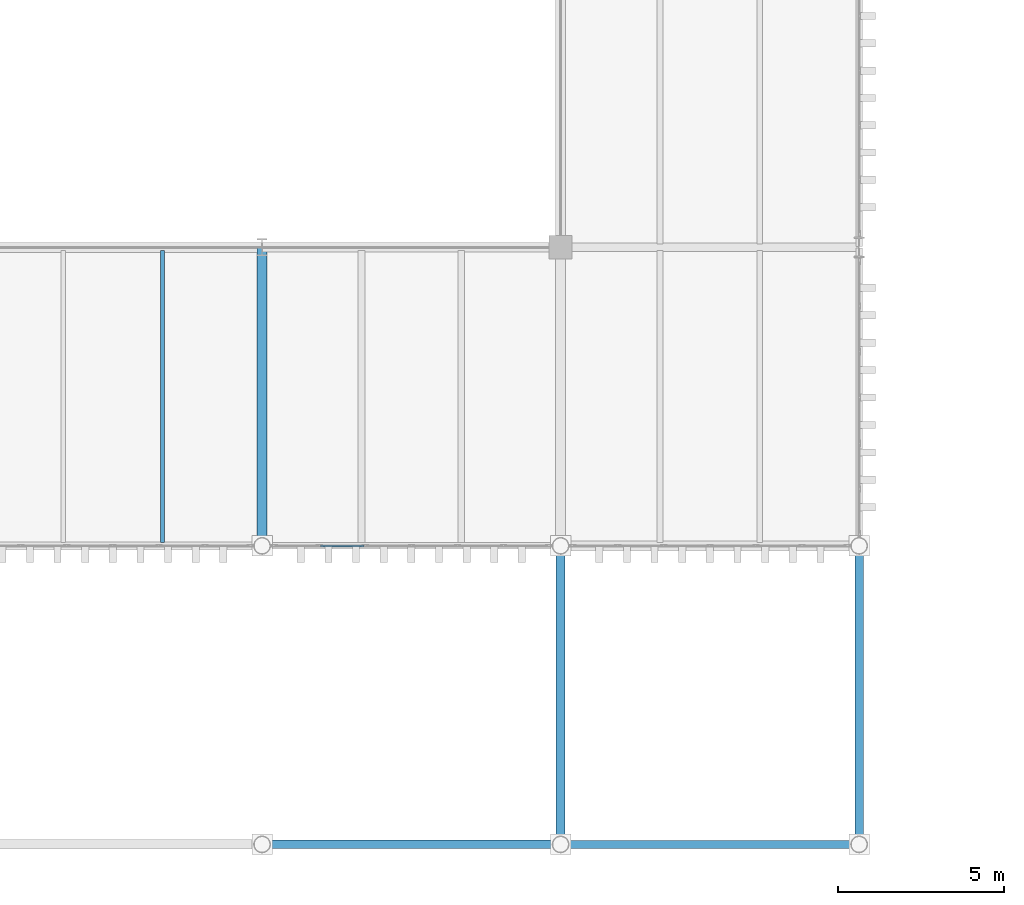
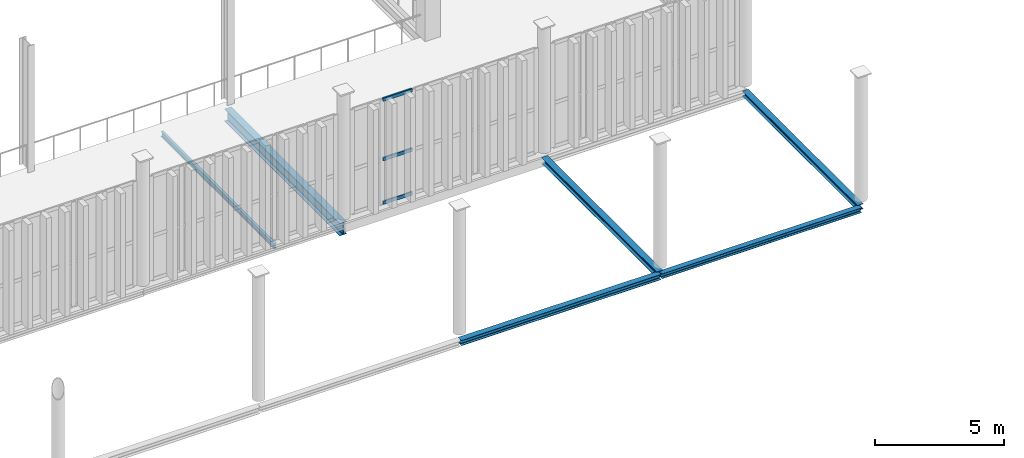
# One storey, part 39 of 211: 6 beams, 3 members, 1 element without a shape of its own.
"""IFC4 building model written with IfcOpenShell, lengths in metres."""

from ifc_helpers import new_model, si_unit, direction, frame, origin, origin_2d, place, context, subcontext, project, spatial, hollow_rectangle, i_section, extrude, material, layer, layer_set, material_profile, profile_set, type_object, element, aggregate, save


model = new_model("IFC4")

# Units and contexts
model_context = context("Model", 3, precision=1e-05, world=origin(), true_north=direction((0.0, 1.0)))
body_context = subcontext(model_context, "Body", "Model", "MODEL_VIEW")
ifc_project = project(units=[si_unit("LENGTHUNIT", "METRE"), si_unit("AREAUNIT", "SQUARE_METRE"), si_unit("VOLUMEUNIT", "CUBIC_METRE"), si_unit("PLANEANGLEUNIT", "RADIAN"), si_unit("MASSUNIT", "GRAM", prefix="KILO")], contexts=[model_context])

# Site, building, storey
site_placement = place(None, origin())
site = spatial("IfcSite", under=ifc_project, at=site_placement, CompositionType="ELEMENT")
building_placement = place(site_placement, origin())
building = spatial("IfcBuilding", under=site, at=building_placement, Name="Barlavento Convention Centre", CompositionType="ELEMENT")
storey_placement = place(building_placement, frame((0.0, 0.0, 6.0)))
storey = spatial("IfcBuildingStorey", under=building, at=storey_placement, Name="L01", CompositionType="ELEMENT", Elevation=6.0)

# Curtain wall, members
ifc_material_1 = material(Name="Powder-coated aluminium and Low-E glass", Category="aluminium")
ifc_layer = layer(ifc_material_1, 0.18505859375)
ifc_layer_set = layer_set([ifc_layer], Name="ARC-CW-CONG-L01")
curtain_wall_type = type_object("IfcCurtainWallType", Name="ARC-CW-CONG-L01", PredefinedType="NOTDEFINED", material=ifc_layer_set)
curtain_wall_placement = place(storey_placement, origin())
curtain_wall = element("IfcCurtainWall", 1, at=curtain_wall_placement, inside=storey, type_object=curtain_wall_type, Name="L01 unitised curtain wall CW01", PredefinedType="NOTDEFINED")
ifc_material_2 = material(Name="Powder-coated aluminium", Category="aluminium")
ifc_material_profile_1 = material_profile(ifc_material_2, hollow_rectangle(XDim=0.06494140625, YDim=0.159912109375, WallThickness=0.0048828125, at=origin_2d()), Name="AL-TRAN 65x160x5")
ifc_profile_set_1 = profile_set([ifc_material_profile_1], Name="Powder-coated aluminium")
member_type = type_object("IfcMemberType", Name="ARC-CWT-65X160", PredefinedType="USERDEFINED", material=ifc_profile_set_1)
member_1_placement = place(storey_placement, frame((46.755126953125, 9.0, 0.032470703125), z_axis=(1.0, 0.0, 0.0), x_axis=(0.0, 1.0, 0.0)))
member_1 = element("IfcMember", 2, at=member_1_placement, type_object=member_type, Name="CW01 transom 2.1", ObjectType="TRANSOM", PredefinedType="USERDEFINED", context=body_context, shape_type="SweptSolid", body=[
    extrude(hollow_rectangle(XDim=0.06494140625, YDim=0.159912109375, WallThickness=0.0048828125, at=origin_2d()), origin(), (0.0, 0.0, 1.0), 1.32373046875),
])
member_2_placement = place(storey_placement, frame((46.755126953125, 9.0, 2.10009765625), z_axis=(1.0, 0.0, 0.0), x_axis=(0.0, 1.0, 0.0)))
member_2 = element("IfcMember", 3, at=member_2_placement, type_object=member_type, Name="CW01 transom 2.2", ObjectType="TRANSOM", PredefinedType="USERDEFINED", context=body_context, shape_type="SweptSolid", body=[
    extrude(hollow_rectangle(XDim=0.06494140625, YDim=0.159912109375, WallThickness=0.0048828125, at=origin_2d()), origin(), (0.0, 0.0, 1.0), 1.32373046875),
])
member_3_placement = place(storey_placement, frame((46.755126953125, 9.0, 4.91748046875), z_axis=(1.0, 0.0, 0.0), x_axis=(0.0, 1.0, 0.0)))
member_3 = element("IfcMember", 4, at=member_3_placement, type_object=member_type, Name="CW01 transom 2.3", ObjectType="TRANSOM", PredefinedType="USERDEFINED", context=body_context, shape_type="SweptSolid", body=[
    extrude(hollow_rectangle(XDim=0.06494140625, YDim=0.159912109375, WallThickness=0.0048828125, at=origin_2d()), origin(), (0.0, 0.0, 1.0), 1.32373046875),
])
aggregate(curtain_wall, [member_1, member_2, member_3])

# Beams
ifc_material_3 = material(Name="Steel S355", Category="steel")
ifc_material_profile_2 = material_profile(ifc_material_3, i_section(OverallWidth=0.1201171875, OverallDepth=0.239990234375, WebThickness=0.006103515625, FlangeThickness=0.009765625, FilletRadius=0.014892578125, at=origin_2d()), Name="IPE 240")
ifc_profile_set_2 = profile_set([ifc_material_profile_2], Name="Steel S355")
beam_type_1 = type_object("IfcBeamType", Name="STR-BM-JST-IPE240", PredefinedType="JOIST", material=ifc_profile_set_2)
beam_1_placement = place(storey_placement, frame((42.0, 9.094970703125, -0.419921875), z_axis=(0.0, 1.0, 0.0), x_axis=(-1.0, 0.0, 0.0)))
element("IfcBeam", 5, at=beam_1_placement, inside=storey, type_object=beam_type_1, Name="L01 composite floor joist SJ09", PredefinedType="JOIST", context=body_context, shape_type="SweptSolid", body=[
    extrude(i_section(OverallWidth=0.1201171875, OverallDepth=0.239990234375, WebThickness=0.006103515625, FlangeThickness=0.009765625, FilletRadius=0.014892578125, at=origin_2d()), origin(), (0.0, 0.0, 1.0), 8.81005859375),
])
ifc_material_profile_3 = material_profile(ifc_material_3, i_section(OverallWidth=0.300048828125, OverallDepth=0.590087890625, WebThickness=0.012939453125, FlangeThickness=0.02490234375, FilletRadius=0.027099609375, at=origin_2d()), Name="HEA 600")
ifc_profile_set_3 = profile_set([ifc_material_profile_3], Name="Steel S355")
beam_type_2 = type_object("IfcBeamType", Name="STR-BM-PRI-HEA600", PredefinedType="BEAM", material=ifc_profile_set_3)
beam_2_placement = place(storey_placement, frame((45.0, 9.02001953125, -0.594970703125), z_axis=(0.0, 1.0, 0.0), x_axis=(-1.0, 0.0, 0.0)))
element("IfcBeam", 6, at=beam_2_placement, inside=storey, type_object=beam_type_2, Name="L01 grid girder BG18", PredefinedType="BEAM", context=body_context, shape_type="SweptSolid", body=[
    extrude(i_section(OverallWidth=0.300048828125, OverallDepth=0.590087890625, WebThickness=0.012939453125, FlangeThickness=0.02490234375, FilletRadius=0.027099609375, at=origin_2d()), origin(), (0.0, 0.0, 1.0), 8.9599609375),
])
ifc_material_profile_4 = material_profile(ifc_material_3, i_section(OverallWidth=0.239990234375, OverallDepth=0.22998046875, WebThickness=0.007568359375, FlangeThickness=0.011962890625, FilletRadius=0.02099609375, at=origin_2d()), Name="HEA 240")
ifc_profile_set_4 = profile_set([ifc_material_profile_4], Name="Steel S355")
beam_type_3 = type_object("IfcBeamType", Name="STR-BM-SPN-HEA240", PredefinedType="SPANDREL", material=ifc_profile_set_4)
beam_3_placement = place(storey_placement, frame((54.02001953125, 0.0, -0.47509765625), z_axis=(1.0, 0.0, 0.0), x_axis=(0.0, 1.0, 0.0)))
element("IfcBeam", 7, at=beam_3_placement, inside=storey, type_object=beam_type_3, Name="L01 primary girder SP05", PredefinedType="SPANDREL", context=body_context, shape_type="SweptSolid", body=[
    extrude(i_section(OverallWidth=0.239990234375, OverallDepth=0.22998046875, WebThickness=0.007568359375, FlangeThickness=0.011962890625, FilletRadius=0.02099609375, at=origin_2d()), origin(), (0.0, 0.0, 1.0), 8.9599609375),
])
ifc_material_profile_5 = material_profile(ifc_material_3, i_section(OverallWidth=0.260009765625, OverallDepth=0.25, WebThickness=0.007568359375, FlangeThickness=0.012451171875, FilletRadius=0.02392578125, at=origin_2d()), Name="HEA 260")
ifc_profile_set_5 = profile_set([ifc_material_profile_5], Name="Steel S355")
beam_type_4 = type_object("IfcBeamType", Name="STR-BM-SPN-HEA260", PredefinedType="SPANDREL", material=ifc_profile_set_5)
for number, where, z_axis, x_axis, name in (
    (8, (45.02001953125, 0.0, -0.485107421875), (1.0, 0.0, 0.0), (0.0, 1.0, 0.0), "L01 primary girder SP04"),
    (9, (63.0, 0.02001953125, -0.425048828125), (0.0, 1.0, 0.0), (-1.0, 0.0, 0.0), "L01 grid girder SP04"),
):
    element("IfcBeam", number, at=place(storey_placement, frame(where, z_axis=z_axis, x_axis=x_axis)), inside=storey, type_object=beam_type_4, Name=name, PredefinedType="SPANDREL", context=body_context, shape_type="SweptSolid", body=[
        extrude(i_section(OverallWidth=0.260009765625, OverallDepth=0.25, WebThickness=0.007568359375, FlangeThickness=0.012451171875, FilletRadius=0.02392578125, at=origin_2d()), origin(), (0.0, 0.0, 1.0), 8.9599609375),
    ])
ifc_material_profile_6 = material_profile(ifc_material_3, i_section(OverallWidth=0.280029296875, OverallDepth=0.27001953125, WebThickness=0.008056640625, FlangeThickness=0.012939453125, FilletRadius=0.02392578125, at=origin_2d()), Name="HEA 280")
ifc_profile_set_6 = profile_set([ifc_material_profile_6], Name="Steel S355")
beam_type_5 = type_object("IfcBeamType", Name="STR-BM-SPN-HEA280", PredefinedType="SPANDREL", material=ifc_profile_set_6)
beam_4_placement = place(storey_placement, frame((54.0, 0.02001953125, -0.43505859375), z_axis=(0.0, 1.0, 0.0), x_axis=(-1.0, 0.0, 0.0)))
element("IfcBeam", 10, at=beam_4_placement, inside=storey, type_object=beam_type_5, Name="L01 grid girder SP03", PredefinedType="SPANDREL", context=body_context, shape_type="SweptSolid", body=[
    extrude(i_section(OverallWidth=0.280029296875, OverallDepth=0.27001953125, WebThickness=0.008056640625, FlangeThickness=0.012939453125, FilletRadius=0.02392578125, at=origin_2d()), origin(), (0.0, 0.0, 1.0), 8.9599609375),
])

save(model, "model.ifc")
